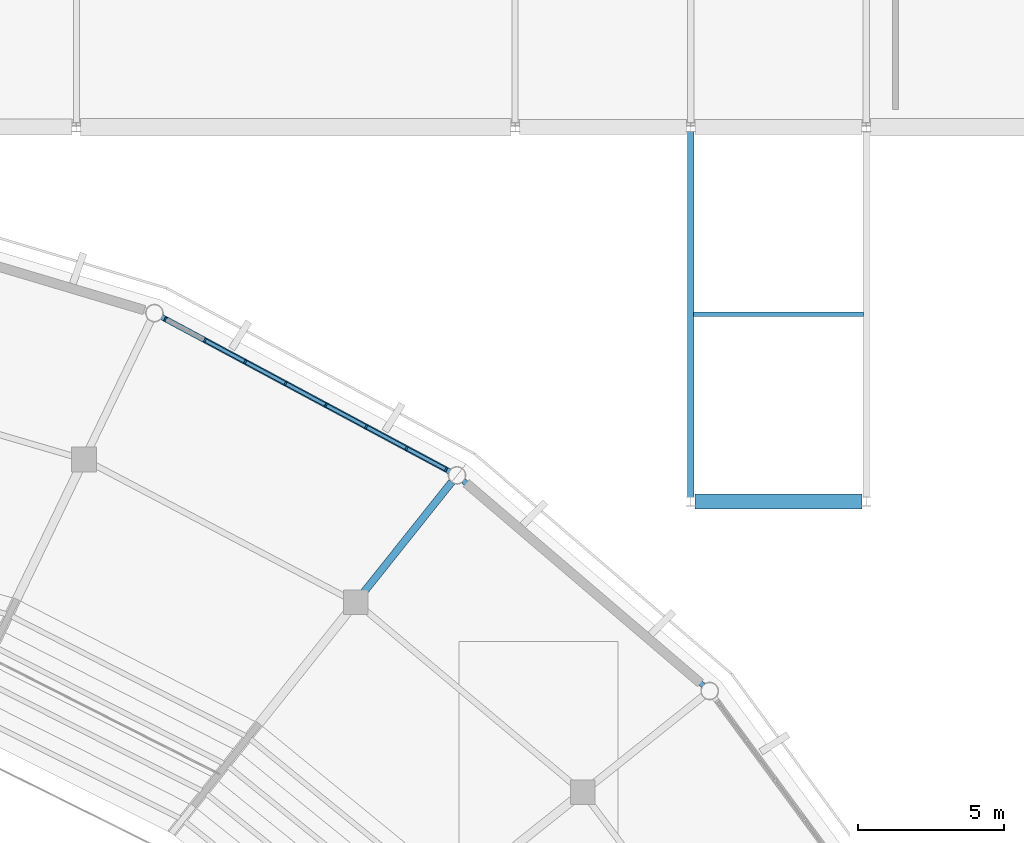
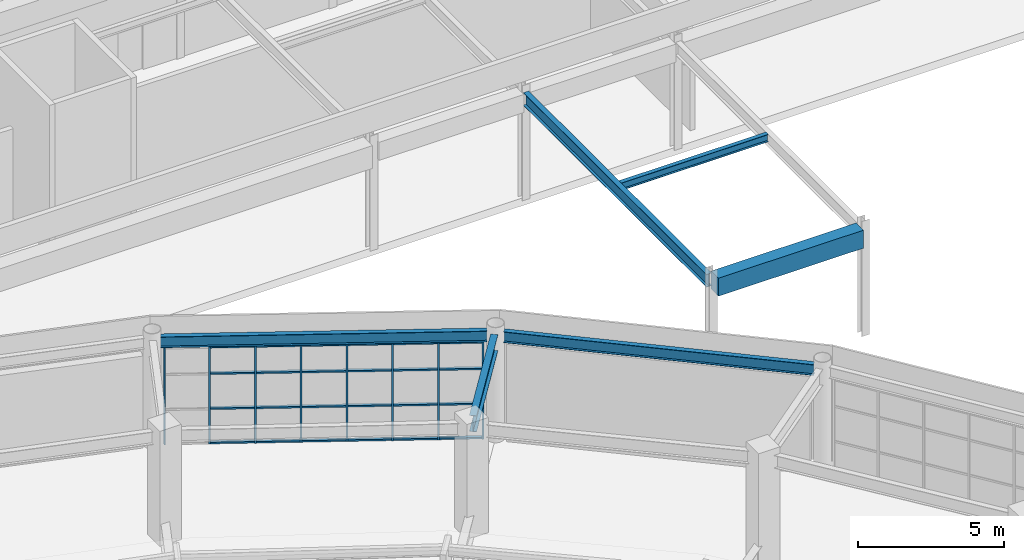
# One storey, part 61 of 122: 32 members, 6 beams, 1 element without a shape of its own.
"""IFC4 building model written with IfcOpenShell, lengths in metres."""

from ifc_helpers import new_model, si_unit, direction, frame, origin, origin_2d, place, context, subcontext, project, spatial, rectangle, i_section, extrude, material, material_profile, profile_set, type_object, element, aggregate, save


model = new_model("IFC4")

# Units and contexts
model_context = context("Model", 3, precision=1e-05, world=origin(), true_north=direction((0.0, 1.0)))
body_context = subcontext(model_context, "Body", "Model", "MODEL_VIEW")
ifc_project = project(units=[si_unit("LENGTHUNIT", "METRE"), si_unit("AREAUNIT", "SQUARE_METRE"), si_unit("VOLUMEUNIT", "CUBIC_METRE"), si_unit("PLANEANGLEUNIT", "RADIAN"), si_unit("MASSUNIT", "GRAM", prefix="KILO")], contexts=[model_context])

# Site, building, storey
site_placement = place(None, origin())
site = spatial("IfcSite", under=ifc_project, at=site_placement, CompositionType="ELEMENT")
building_placement = place(site_placement, origin())
building = spatial("IfcBuilding", under=site, at=building_placement, Name="Cuetzalor Civic Arena", CompositionType="ELEMENT")
storey_placement = place(building_placement, frame((0.0, 0.0, 16.199951171875)))
storey = spatial("IfcBuildingStorey", under=building, at=storey_placement, Name="L03", CompositionType="ELEMENT", Elevation=16.199951171875)

# Beam
ifc_material_1 = material(Name="Concrete C40/50", Category="concrete")
ifc_material_profile_1 = material_profile(ifc_material_1, rectangle(XDim=0.5, YDim=0.75, at=origin_2d()), Name="RC 500x750")
ifc_profile_set_1 = profile_set([ifc_material_profile_1], Name="Concrete C40/50")
beam_type_1 = type_object("IfcBeamType", Name="ConcreteFrameBeam_500x750", PredefinedType="BEAM", material=ifc_profile_set_1)
beam_1_placement = place(storey_placement, frame((42.142578125, 35.5, 4.125), z_axis=(1.0, 0.0, 0.0), x_axis=(0.0, 1.0, 0.0)))
element("IfcBeam", 1, at=beam_1_placement, inside=storey, type_object=beam_type_1, Name="Frame Girder V5-L03-X1030", PredefinedType="BEAM", context=body_context, shape_type="SweptSolid", body=[
    extrude(rectangle(XDim=0.5, YDim=0.75, at=origin_2d()), origin(), (0.0, 0.0, 1.0), 5.71484375),
])

# Curtain wall, members
ifc_material_2 = material(Name="Anodised dark bronze aluminium and low-E solar glass", Category="aluminium")
curtain_wall_type = type_object("IfcCurtainWallType", Name="UnitisedCW_10950x4050", PredefinedType="USERDEFINED", material=ifc_material_2)
curtain_wall_placement = place(storey_placement, origin())
curtain_wall = element("IfcCurtainWall", 2, at=curtain_wall_placement, inside=storey, type_object=curtain_wall_type, Name="Drum Triangle Foyer Curtain Wall L03-046", ObjectType="UNITISED CURTAIN WALL", PredefinedType="USERDEFINED")
ifc_material_3 = material(Name="Anodised dark bronze aluminium", Category="aluminium")
ifc_material_profile_2 = material_profile(ifc_material_3, rectangle(XDim=0.06494140625, YDim=0.14990234375, at=origin_2d()), Name="ALU MULLION 65x150")
ifc_profile_set_2 = profile_set([ifc_material_profile_2], Name="Anodised dark bronze aluminium")
member_type_1 = type_object("IfcMemberType", Name="CurtainWallMullion_60x150", PredefinedType="MULLION", material=ifc_profile_set_2)
member_1_placement = place(storey_placement, frame((24.044921875, 41.738037109375, 0.0), z_axis=(0.0, 0.0, 1.0), x_axis=(0.881306344124, -0.472545371163, 0.0)))
member_1 = element("IfcMember", 3, at=member_1_placement, type_object=member_type_1, Name="CW-13 mullion 1", PredefinedType="MULLION", context=body_context, shape_type="SweptSolid", body=[
    extrude(rectangle(XDim=0.06494140625, YDim=0.14990234375, at=origin_2d()), origin(), (0.0, 0.0, 1.0), 4.052978515625),
])
member_2_placement = place(storey_placement, frame((25.39453125, 41.0146484375, 0.0), z_axis=(0.0, 0.0, 1.0), x_axis=(0.881306344124, -0.472545371163, 0.0)))
member_2 = element("IfcMember", 4, at=member_2_placement, type_object=member_type_1, Name="CW-13 mullion 2", PredefinedType="MULLION", context=body_context, shape_type="SweptSolid", body=[
    extrude(rectangle(XDim=0.06494140625, YDim=0.14990234375, at=origin_2d()), origin(), (0.0, 0.0, 1.0), 4.052978515625),
])
member_3_placement = place(storey_placement, frame((26.772705078125, 40.275634765625, 0.0), z_axis=(0.0, 0.0, 1.0), x_axis=(0.881306344124, -0.472545371163, 0.0)))
member_3 = element("IfcMember", 5, at=member_3_placement, type_object=member_type_1, Name="CW-13 mullion 3", PredefinedType="MULLION", context=body_context, shape_type="SweptSolid", body=[
    extrude(rectangle(XDim=0.06494140625, YDim=0.14990234375, at=origin_2d()), origin(), (0.0, 0.0, 1.0), 4.052978515625),
])
member_4_placement = place(storey_placement, frame((28.15087890625, 39.53662109375, 0.0), z_axis=(0.0, 0.0, 1.0), x_axis=(0.881306344124, -0.472545371163, 0.0)))
member_4 = element("IfcMember", 6, at=member_4_placement, type_object=member_type_1, Name="CW-13 mullion 4", PredefinedType="MULLION", context=body_context, shape_type="SweptSolid", body=[
    extrude(rectangle(XDim=0.06494140625, YDim=0.14990234375, at=origin_2d()), origin(), (0.0, 0.0, 1.0), 4.052978515625),
])
member_5_placement = place(storey_placement, frame((29.529052734375, 38.797607421875, 0.0), z_axis=(0.0, 0.0, 1.0), x_axis=(0.881306344124, -0.472545371163, 0.0)))
member_5 = element("IfcMember", 7, at=member_5_placement, type_object=member_type_1, Name="CW-13 mullion 5", PredefinedType="MULLION", context=body_context, shape_type="SweptSolid", body=[
    extrude(rectangle(XDim=0.06494140625, YDim=0.14990234375, at=origin_2d()), origin(), (0.0, 0.0, 1.0), 4.052978515625),
])
member_6_placement = place(storey_placement, frame((30.9072265625, 38.058837890625, 0.0), z_axis=(0.0, 0.0, 1.0), x_axis=(0.881306344124, -0.472545371163, 0.0)))
member_6 = element("IfcMember", 8, at=member_6_placement, type_object=member_type_1, Name="CW-13 mullion 6", PredefinedType="MULLION", context=body_context, shape_type="SweptSolid", body=[
    extrude(rectangle(XDim=0.06494140625, YDim=0.14990234375, at=origin_2d()), origin(), (0.0, 0.0, 1.0), 4.052978515625),
])
member_7_placement = place(storey_placement, frame((32.28515625, 37.31982421875, 0.0), z_axis=(0.0, 0.0, 1.0), x_axis=(0.881306344124, -0.472545371163, 0.0)))
member_7 = element("IfcMember", 9, at=member_7_placement, type_object=member_type_1, Name="CW-13 mullion 7", PredefinedType="MULLION", context=body_context, shape_type="SweptSolid", body=[
    extrude(rectangle(XDim=0.06494140625, YDim=0.14990234375, at=origin_2d()), origin(), (0.0, 0.0, 1.0), 4.052978515625),
])
member_8_placement = place(storey_placement, frame((33.634765625, 36.59619140625, 0.0), z_axis=(0.0, 0.0, 1.0), x_axis=(0.881306344124, -0.472545371163, 0.0)))
member_8 = element("IfcMember", 10, at=member_8_placement, type_object=member_type_1, Name="CW-13 mullion 8", PredefinedType="MULLION", context=body_context, shape_type="SweptSolid", body=[
    extrude(rectangle(XDim=0.06494140625, YDim=0.14990234375, at=origin_2d()), origin(), (0.0, 0.0, 1.0), 4.052978515625),
])
ifc_material_4 = material(Name="Anodised dark bronze aluminium", Category="aluminium")
ifc_material_profile_3 = material_profile(ifc_material_4, rectangle(XDim=0.1201171875, YDim=0.06494140625, at=origin_2d()), Name="ALU TRANSOM 65x120")
ifc_profile_set_3 = profile_set([ifc_material_profile_3], Name="Anodised dark bronze aluminium")
member_type_2 = type_object("IfcMemberType", Name="CurtainWallTransom_60x120", PredefinedType="USERDEFINED", material=ifc_profile_set_3)
member_9_placement = place(storey_placement, frame((25.423095703125, 40.999267578125, 0.032470703125), z_axis=(0.881327378195, -0.472506140112, 0.0), x_axis=(0.472506140112, 0.881327378195, 0.0)))
member_9 = element("IfcMember", 11, at=member_9_placement, type_object=member_type_2, Name="CW-13 transom 2.1", ObjectType="TRANSOM", PredefinedType="USERDEFINED", context=body_context, shape_type="SweptSolid", body=[
    extrude(rectangle(XDim=0.1201171875, YDim=0.06494140625, at=origin_2d()), origin(), (0.0, 0.0, 1.0), 1.4990234375),
])
member_10_placement = place(storey_placement, frame((25.423095703125, 40.999267578125, 1.458984375), z_axis=(0.881327378195, -0.472506140112, 0.0), x_axis=(0.472506140112, 0.881327378195, 0.0)))
member_10 = element("IfcMember", 12, at=member_10_placement, type_object=member_type_2, Name="CW-13 transom 2.2", ObjectType="TRANSOM", PredefinedType="USERDEFINED", context=body_context, shape_type="SweptSolid", body=[
    extrude(rectangle(XDim=0.1201171875, YDim=0.06494140625, at=origin_2d()), origin(), (0.0, 0.0, 1.0), 1.4990234375),
])
member_11_placement = place(storey_placement, frame((25.423095703125, 40.999267578125, 2.91796875), z_axis=(0.881327378195, -0.472506140112, 0.0), x_axis=(0.472506140112, 0.881327378195, 0.0)))
member_11 = element("IfcMember", 13, at=member_11_placement, type_object=member_type_2, Name="CW-13 transom 2.3", ObjectType="TRANSOM", PredefinedType="USERDEFINED", context=body_context, shape_type="SweptSolid", body=[
    extrude(rectangle(XDim=0.1201171875, YDim=0.06494140625, at=origin_2d()), origin(), (0.0, 0.0, 1.0), 1.4990234375),
])
member_12_placement = place(storey_placement, frame((25.423095703125, 40.999267578125, 4.0205078125), z_axis=(0.881327378195, -0.472506140112, 0.0), x_axis=(0.472506140112, 0.881327378195, 0.0)))
member_12 = element("IfcMember", 14, at=member_12_placement, type_object=member_type_2, Name="CW-13 transom 2.4", ObjectType="TRANSOM", PredefinedType="USERDEFINED", context=body_context, shape_type="SweptSolid", body=[
    extrude(rectangle(XDim=0.1201171875, YDim=0.06494140625, at=origin_2d()), origin(), (0.0, 0.0, 1.0), 1.4990234375),
])
member_13_placement = place(storey_placement, frame((26.80126953125, 40.26025390625, 0.032470703125), z_axis=(0.881291006113, -0.472573975737, 0.0), x_axis=(0.472573975737, 0.881291006113, 0.0)))
member_13 = element("IfcMember", 15, at=member_13_placement, type_object=member_type_2, Name="CW-13 transom 3.1", ObjectType="TRANSOM", PredefinedType="USERDEFINED", context=body_context, shape_type="SweptSolid", body=[
    extrude(rectangle(XDim=0.1201171875, YDim=0.06494140625, at=origin_2d()), origin(), (0.0, 0.0, 1.0), 1.498779296875),
])
member_14_placement = place(storey_placement, frame((26.80126953125, 40.26025390625, 1.458984375), z_axis=(0.881291006113, -0.472573975737, 0.0), x_axis=(0.472573975737, 0.881291006113, 0.0)))
member_14 = element("IfcMember", 16, at=member_14_placement, type_object=member_type_2, Name="CW-13 transom 3.2", ObjectType="TRANSOM", PredefinedType="USERDEFINED", context=body_context, shape_type="SweptSolid", body=[
    extrude(rectangle(XDim=0.1201171875, YDim=0.06494140625, at=origin_2d()), origin(), (0.0, 0.0, 1.0), 1.498779296875),
])
member_15_placement = place(storey_placement, frame((26.80126953125, 40.26025390625, 2.91796875), z_axis=(0.881291006113, -0.472573975737, 0.0), x_axis=(0.472573975737, 0.881291006113, 0.0)))
member_15 = element("IfcMember", 17, at=member_15_placement, type_object=member_type_2, Name="CW-13 transom 3.3", ObjectType="TRANSOM", PredefinedType="USERDEFINED", context=body_context, shape_type="SweptSolid", body=[
    extrude(rectangle(XDim=0.1201171875, YDim=0.06494140625, at=origin_2d()), origin(), (0.0, 0.0, 1.0), 1.498779296875),
])
member_16_placement = place(storey_placement, frame((26.80126953125, 40.26025390625, 4.0205078125), z_axis=(0.881291006113, -0.472573975737, 0.0), x_axis=(0.472573975737, 0.881291006113, 0.0)))
member_16 = element("IfcMember", 18, at=member_16_placement, type_object=member_type_2, Name="CW-13 transom 3.4", ObjectType="TRANSOM", PredefinedType="USERDEFINED", context=body_context, shape_type="SweptSolid", body=[
    extrude(rectangle(XDim=0.1201171875, YDim=0.06494140625, at=origin_2d()), origin(), (0.0, 0.0, 1.0), 1.498779296875),
])
member_17_placement = place(storey_placement, frame((28.179443359375, 39.521240234375, 0.032470703125), z_axis=(0.881291006113, -0.472573975737, 0.0), x_axis=(0.472573975737, 0.881291006113, 0.0)))
member_17 = element("IfcMember", 19, at=member_17_placement, type_object=member_type_2, Name="CW-13 transom 4.1", ObjectType="TRANSOM", PredefinedType="USERDEFINED", context=body_context, shape_type="SweptSolid", body=[
    extrude(rectangle(XDim=0.1201171875, YDim=0.06494140625, at=origin_2d()), origin(), (0.0, 0.0, 1.0), 1.498779296875),
])
member_18_placement = place(storey_placement, frame((28.179443359375, 39.521240234375, 1.458984375), z_axis=(0.881291006113, -0.472573975737, 0.0), x_axis=(0.472573975737, 0.881291006113, 0.0)))
member_18 = element("IfcMember", 20, at=member_18_placement, type_object=member_type_2, Name="CW-13 transom 4.2", ObjectType="TRANSOM", PredefinedType="USERDEFINED", context=body_context, shape_type="SweptSolid", body=[
    extrude(rectangle(XDim=0.1201171875, YDim=0.06494140625, at=origin_2d()), origin(), (0.0, 0.0, 1.0), 1.498779296875),
])
member_19_placement = place(storey_placement, frame((28.179443359375, 39.521240234375, 2.91796875), z_axis=(0.881291006113, -0.472573975737, 0.0), x_axis=(0.472573975737, 0.881291006113, 0.0)))
member_19 = element("IfcMember", 21, at=member_19_placement, type_object=member_type_2, Name="CW-13 transom 4.3", ObjectType="TRANSOM", PredefinedType="USERDEFINED", context=body_context, shape_type="SweptSolid", body=[
    extrude(rectangle(XDim=0.1201171875, YDim=0.06494140625, at=origin_2d()), origin(), (0.0, 0.0, 1.0), 1.498779296875),
])
member_20_placement = place(storey_placement, frame((28.179443359375, 39.521240234375, 4.0205078125), z_axis=(0.881291006113, -0.472573975737, 0.0), x_axis=(0.472573975737, 0.881291006113, 0.0)))
member_20 = element("IfcMember", 22, at=member_20_placement, type_object=member_type_2, Name="CW-13 transom 4.4", ObjectType="TRANSOM", PredefinedType="USERDEFINED", context=body_context, shape_type="SweptSolid", body=[
    extrude(rectangle(XDim=0.1201171875, YDim=0.06494140625, at=origin_2d()), origin(), (0.0, 0.0, 1.0), 1.498779296875),
])
member_21_placement = place(storey_placement, frame((29.5576171875, 38.782470703125, 0.032470703125), z_axis=(0.881291006113, -0.472573975737, 0.0), x_axis=(0.472573975737, 0.881291006113, 0.0)))
member_21 = element("IfcMember", 23, at=member_21_placement, type_object=member_type_2, Name="CW-13 transom 5.1", ObjectType="TRANSOM", PredefinedType="USERDEFINED", context=body_context, shape_type="SweptSolid", body=[
    extrude(rectangle(XDim=0.1201171875, YDim=0.06494140625, at=origin_2d()), origin(), (0.0, 0.0, 1.0), 1.498779296875),
])
member_22_placement = place(storey_placement, frame((29.5576171875, 38.782470703125, 1.458984375), z_axis=(0.881291006113, -0.472573975737, 0.0), x_axis=(0.472573975737, 0.881291006113, 0.0)))
member_22 = element("IfcMember", 24, at=member_22_placement, type_object=member_type_2, Name="CW-13 transom 5.2", ObjectType="TRANSOM", PredefinedType="USERDEFINED", context=body_context, shape_type="SweptSolid", body=[
    extrude(rectangle(XDim=0.1201171875, YDim=0.06494140625, at=origin_2d()), origin(), (0.0, 0.0, 1.0), 1.498779296875),
])
member_23_placement = place(storey_placement, frame((29.5576171875, 38.782470703125, 2.91796875), z_axis=(0.881291006113, -0.472573975737, 0.0), x_axis=(0.472573975737, 0.881291006113, 0.0)))
member_23 = element("IfcMember", 25, at=member_23_placement, type_object=member_type_2, Name="CW-13 transom 5.3", ObjectType="TRANSOM", PredefinedType="USERDEFINED", context=body_context, shape_type="SweptSolid", body=[
    extrude(rectangle(XDim=0.1201171875, YDim=0.06494140625, at=origin_2d()), origin(), (0.0, 0.0, 1.0), 1.498779296875),
])
member_24_placement = place(storey_placement, frame((29.5576171875, 38.782470703125, 4.0205078125), z_axis=(0.881291006113, -0.472573975737, 0.0), x_axis=(0.472573975737, 0.881291006113, 0.0)))
member_24 = element("IfcMember", 26, at=member_24_placement, type_object=member_type_2, Name="CW-13 transom 5.4", ObjectType="TRANSOM", PredefinedType="USERDEFINED", context=body_context, shape_type="SweptSolid", body=[
    extrude(rectangle(XDim=0.1201171875, YDim=0.06494140625, at=origin_2d()), origin(), (0.0, 0.0, 1.0), 1.498779296875),
])
member_25_placement = place(storey_placement, frame((30.935791015625, 38.04345703125, 0.032470703125), z_axis=(0.881291006113, -0.472573975737, 0.0), x_axis=(0.472573975737, 0.881291006113, 0.0)))
member_25 = element("IfcMember", 27, at=member_25_placement, type_object=member_type_2, Name="CW-13 transom 6.1", ObjectType="TRANSOM", PredefinedType="USERDEFINED", context=body_context, shape_type="SweptSolid", body=[
    extrude(rectangle(XDim=0.1201171875, YDim=0.06494140625, at=origin_2d()), origin(), (0.0, 0.0, 1.0), 1.498779296875),
])
member_26_placement = place(storey_placement, frame((30.935791015625, 38.04345703125, 1.458984375), z_axis=(0.881291006113, -0.472573975737, 0.0), x_axis=(0.472573975737, 0.881291006113, 0.0)))
member_26 = element("IfcMember", 28, at=member_26_placement, type_object=member_type_2, Name="CW-13 transom 6.2", ObjectType="TRANSOM", PredefinedType="USERDEFINED", context=body_context, shape_type="SweptSolid", body=[
    extrude(rectangle(XDim=0.1201171875, YDim=0.06494140625, at=origin_2d()), origin(), (0.0, 0.0, 1.0), 1.498779296875),
])
member_27_placement = place(storey_placement, frame((30.935791015625, 38.04345703125, 2.91796875), z_axis=(0.881291006113, -0.472573975737, 0.0), x_axis=(0.472573975737, 0.881291006113, 0.0)))
member_27 = element("IfcMember", 29, at=member_27_placement, type_object=member_type_2, Name="CW-13 transom 6.3", ObjectType="TRANSOM", PredefinedType="USERDEFINED", context=body_context, shape_type="SweptSolid", body=[
    extrude(rectangle(XDim=0.1201171875, YDim=0.06494140625, at=origin_2d()), origin(), (0.0, 0.0, 1.0), 1.498779296875),
])
member_28_placement = place(storey_placement, frame((30.935791015625, 38.04345703125, 4.0205078125), z_axis=(0.881291006113, -0.472573975737, 0.0), x_axis=(0.472573975737, 0.881291006113, 0.0)))
member_28 = element("IfcMember", 30, at=member_28_placement, type_object=member_type_2, Name="CW-13 transom 6.4", ObjectType="TRANSOM", PredefinedType="USERDEFINED", context=body_context, shape_type="SweptSolid", body=[
    extrude(rectangle(XDim=0.1201171875, YDim=0.06494140625, at=origin_2d()), origin(), (0.0, 0.0, 1.0), 1.498779296875),
])
member_29_placement = place(storey_placement, frame((32.31396484375, 37.304443359375, 0.032470703125), z_axis=(0.881309117216, -0.472540199255, 0.0), x_axis=(0.472540199255, 0.881309117216, 0.0)))
member_29 = element("IfcMember", 31, at=member_29_placement, type_object=member_type_2, Name="CW-13 transom 7.1", ObjectType="TRANSOM", PredefinedType="USERDEFINED", context=body_context, shape_type="SweptSolid", body=[
    extrude(rectangle(XDim=0.1201171875, YDim=0.06494140625, at=origin_2d()), origin(), (0.0, 0.0, 1.0), 1.46630859375),
])
member_30_placement = place(storey_placement, frame((32.31396484375, 37.304443359375, 1.458984375), z_axis=(0.881309117216, -0.472540199255, 0.0), x_axis=(0.472540199255, 0.881309117216, 0.0)))
member_30 = element("IfcMember", 32, at=member_30_placement, type_object=member_type_2, Name="CW-13 transom 7.2", ObjectType="TRANSOM", PredefinedType="USERDEFINED", context=body_context, shape_type="SweptSolid", body=[
    extrude(rectangle(XDim=0.1201171875, YDim=0.06494140625, at=origin_2d()), origin(), (0.0, 0.0, 1.0), 1.46630859375),
])
member_31_placement = place(storey_placement, frame((32.31396484375, 37.304443359375, 2.91796875), z_axis=(0.881309117216, -0.472540199255, 0.0), x_axis=(0.472540199255, 0.881309117216, 0.0)))
member_31 = element("IfcMember", 33, at=member_31_placement, type_object=member_type_2, Name="CW-13 transom 7.3", ObjectType="TRANSOM", PredefinedType="USERDEFINED", context=body_context, shape_type="SweptSolid", body=[
    extrude(rectangle(XDim=0.1201171875, YDim=0.06494140625, at=origin_2d()), origin(), (0.0, 0.0, 1.0), 1.46630859375),
])
member_32_placement = place(storey_placement, frame((32.31396484375, 37.304443359375, 4.0205078125), z_axis=(0.881309117216, -0.472540199255, 0.0), x_axis=(0.472540199255, 0.881309117216, 0.0)))
member_32 = element("IfcMember", 34, at=member_32_placement, type_object=member_type_2, Name="CW-13 transom 7.4", ObjectType="TRANSOM", PredefinedType="USERDEFINED", context=body_context, shape_type="SweptSolid", body=[
    extrude(rectangle(XDim=0.1201171875, YDim=0.06494140625, at=origin_2d()), origin(), (0.0, 0.0, 1.0), 1.46630859375),
])
aggregate(curtain_wall, [member_1, member_2, member_3, member_4, member_5, member_6, member_7, member_8, member_9, member_10, member_11, member_12, member_13, member_14, member_15, member_16, member_17, member_18, member_19, member_20, member_21, member_22, member_23, member_24, member_25, member_26, member_27, member_28, member_29, member_30, member_31, member_32])

# Beams
ifc_material_5 = material(Name="Steel S355", Category="steel")
ifc_material_profile_4 = material_profile(ifc_material_5, i_section(OverallWidth=0.18994140625, OverallDepth=0.45703125, WebThickness=0.009033203125, FlangeThickness=0.014404296875, at=origin_2d()), Name="W460x74")
ifc_profile_set_4 = profile_set([ifc_material_profile_4], Name="Steel S355")
beam_type_2 = type_object("IfcBeamType", Name="FacadeSpandrelBeam_W460", PredefinedType="SPANDREL", material=ifc_profile_set_4)
beam_2_placement = place(storey_placement, frame((42.42822265625, 29.211669921875, 4.29150390625), z_axis=(-0.760676650628, 0.649130983076, 0.0), x_axis=(-0.649130983076, -0.760676650628, 0.0)))
element("IfcBeam", 35, at=beam_2_placement, inside=storey, type_object=beam_type_2, Name="Drum Perimeter Spandrel L03-S04", PredefinedType="SPANDREL", context=body_context, shape_type="SweptSolid", body=[
    extrude(i_section(OverallWidth=0.18994140625, OverallDepth=0.45703125, WebThickness=0.009033203125, FlangeThickness=0.014404296875, at=origin_2d()), origin(), (0.0, 0.0, 1.0), 10.77490234375),
])
beam_3_placement = place(storey_placement, frame((33.755859375, 36.53125, 4.29150390625), z_axis=(-0.881304552514, 0.472548712534, 0.0), x_axis=(-0.472548712534, -0.881304552514, 0.0)))
element("IfcBeam", 36, at=beam_3_placement, inside=storey, type_object=beam_type_2, Name="Drum Perimeter Spandrel L03-S05", PredefinedType="SPANDREL", context=body_context, shape_type="SweptSolid", body=[
    extrude(i_section(OverallWidth=0.18994140625, OverallDepth=0.45703125, WebThickness=0.009033203125, FlangeThickness=0.014404296875, at=origin_2d()), origin(), (0.0, 0.0, 1.0), 11.156005859375),
])
ifc_material_6 = material(Name="Steel S355", Category="steel")
ifc_material_profile_5 = material_profile(ifc_material_6, i_section(OverallWidth=0.166015625, OverallDepth=0.31298828125, WebThickness=0.006591796875, FlangeThickness=0.01123046875, at=origin_2d()), Name="W310x45")
ifc_profile_set_5 = profile_set([ifc_material_profile_5], Name="Steel S355")
beam_type_3 = type_object("IfcBeamType", Name="SecondaryRoofJoist_W310", PredefinedType="JOIST", material=ifc_profile_set_5)
beam_4_placement = place(storey_placement, frame((42.096435546875, 41.89990234375, 4.343505859375), z_axis=(1.0, 0.0, 0.0), x_axis=(0.0, 1.0, 0.0)))
element("IfcBeam", 37, at=beam_4_placement, inside=storey, type_object=beam_type_3, Name="Secondary Floor Joist V5-L03-0331", PredefinedType="JOIST", context=body_context, shape_type="SweptSolid", body=[
    extrude(i_section(OverallWidth=0.166015625, OverallDepth=0.31298828125, WebThickness=0.006591796875, FlangeThickness=0.01123046875, at=origin_2d()), origin(), (0.0, 0.0, 1.0), 5.80712890625),
])
ifc_material_7 = material(Name="Steel S355", Category="steel")
ifc_material_profile_6 = material_profile(ifc_material_7, i_section(OverallWidth=0.208984375, OverallDepth=0.532958984375, WebThickness=0.01025390625, FlangeThickness=0.015625, at=origin_2d()), Name="W530x92")
ifc_profile_set_6 = profile_set([ifc_material_profile_6], Name="Steel S355")
beam_type_4 = type_object("IfcBeamType", Name="SteelCollarGirder_W530", PredefinedType="BEAM", material=ifc_profile_set_6)
beam_5_placement = place(storey_placement, frame((42.0, 35.64404296875, 4.233642578125), z_axis=(0.0, 1.0, 0.0), x_axis=(-1.0, 0.0, 0.0)))
element("IfcBeam", 38, at=beam_5_placement, inside=storey, type_object=beam_type_4, Name="Frame Girder V5-L03-Y1079", PredefinedType="BEAM", context=body_context, shape_type="SweptSolid", body=[
    extrude(i_section(OverallWidth=0.208984375, OverallDepth=0.532958984375, WebThickness=0.01025390625, FlangeThickness=0.015625, at=origin_2d()), origin(), (0.0, 0.0, 1.0), 12.511962890625),
])
ifc_material_8 = material(Name="Steel S355", Category="steel")
ifc_material_profile_7 = material_profile(ifc_material_8, i_section(OverallWidth=0.2529296875, OverallDepth=0.677978515625, WebThickness=0.01171875, FlangeThickness=0.016357421875, at=origin_2d()), Name="W690x125")
ifc_profile_set_7 = profile_set([ifc_material_profile_7], Name="Steel S355")
beam_type_5 = type_object("IfcBeamType", Name="SteelPrimaryGirder_W690", PredefinedType="BEAM", material=ifc_profile_set_7)
beam_6_placement = place(storey_placement, frame((30.775390625, 32.336669921875, 4.18115234375), z_axis=(0.623515538789, 0.781810957258, 0.0), x_axis=(-0.781810957258, 0.623515538789, 0.0)))
element("IfcBeam", 39, at=beam_6_placement, inside=storey, type_object=beam_type_5, Name="Drum Radial Girder L03-R05", PredefinedType="BEAM", context=body_context, shape_type="SweptSolid", body=[
    extrude(i_section(OverallWidth=0.2529296875, OverallDepth=0.677978515625, WebThickness=0.01171875, FlangeThickness=0.016357421875, at=origin_2d()), origin(), (0.0, 0.0, 1.0), 4.89990234375),
])

save(model, "model.ifc")
